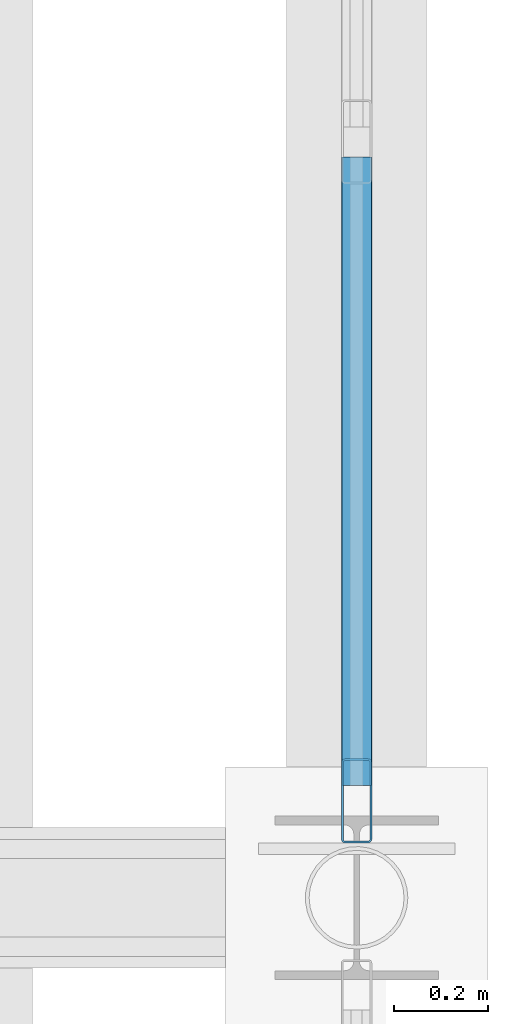
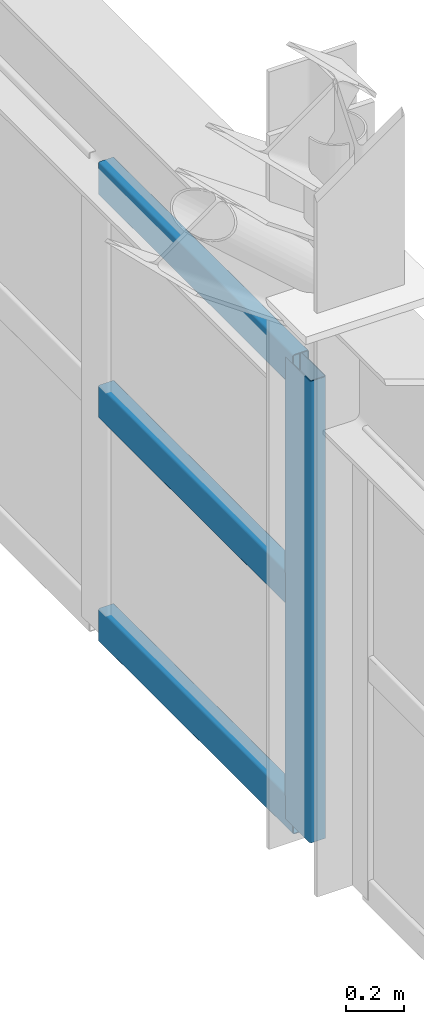
# One storey, part 44 of 121: 4 members, 1 element without a shape of its own.
"""IFC4 building model written with IfcOpenShell, lengths in metres."""

from ifc_helpers import new_model, si_unit, direction, frame, origin, origin_2d, place, context, subcontext, project, spatial, hollow_rectangle, extrude, material, material_profile, profile_set, type_object, element, aggregate, save


model = new_model("IFC4")

# Units and contexts
model_context = context("Model", 3, precision=1e-05, world=origin(), true_north=direction((0.0, 1.0)))
body_context = subcontext(model_context, "Body", "Model", "MODEL_VIEW")
ifc_project = project(units=[si_unit("LENGTHUNIT", "METRE"), si_unit("AREAUNIT", "SQUARE_METRE"), si_unit("VOLUMEUNIT", "CUBIC_METRE"), si_unit("PLANEANGLEUNIT", "RADIAN"), si_unit("MASSUNIT", "GRAM", prefix="KILO")], contexts=[model_context])

# Site, building, storey
site_placement = place(None, origin())
site = spatial("IfcSite", under=ifc_project, at=site_placement, CompositionType="ELEMENT")
building_placement = place(site_placement, origin())
building = spatial("IfcBuilding", under=site, at=building_placement, Name="Canglan Escarpment Cableway Terminal", CompositionType="ELEMENT")
storey_placement = place(building_placement, frame((0.0, 0.0, 24.60009765625)))
storey = spatial("IfcBuildingStorey", under=building, at=storey_placement, Name="L05", CompositionType="ELEMENT", Elevation=24.60009765625)

# Curtain wall, members
ifc_material_1 = material(Name="Anodized bronze aluminium and Low-E double glazing", Category="aluminium")
curtain_wall_type = type_object("IfcCurtainWallType", Name="CW-BAY-8650x1950", PredefinedType="NOTDEFINED", material=ifc_material_1)
curtain_wall_placement = place(storey_placement, origin())
curtain_wall = element("IfcCurtainWall", 1, at=curtain_wall_placement, inside=storey, type_object=curtain_wall_type, Name="Classical bay-between-piers glazed curtain wall CW-66", PredefinedType="NOTDEFINED")
ifc_material_2 = material(Name="Thermally broken anodized aluminium 6063-T6", Category="aluminium")
ifc_material_profile_1 = material_profile(ifc_material_2, hollow_rectangle(XDim=0.06494140625, YDim=0.179931640625, WallThickness=0.00390625, InnerFilletRadius=0.00390625, OuterFilletRadius=0.008056640625, at=origin_2d()), Name="ALU-MULL 65x180x4")
ifc_profile_set_1 = profile_set([ifc_material_profile_1], Name="Thermally broken anodized aluminium 6063-T6")
member_type_1 = type_object("IfcMemberType", Name="CWM-03", PredefinedType="MULLION", material=ifc_profile_set_1)
member_1_placement = place(storey_placement, frame((166.39990234375, 70.20751953125, 0.0), z_axis=(0.0, 0.0, 1.0), x_axis=(-1.0, 0.0, 0.0)))
member_1 = element("IfcMember", 2, at=member_1_placement, type_object=member_type_1, Name="CW-66 mullion 1", PredefinedType="MULLION", context=body_context, shape_type="SweptSolid", body=[
    extrude(hollow_rectangle(XDim=0.06494140625, YDim=0.179931640625, WallThickness=0.00390625, InnerFilletRadius=0.00390625, OuterFilletRadius=0.008056640625, at=origin_2d()), origin(), (0.0, 0.0, 1.0), 1.949951171875),
])
ifc_material_profile_2 = material_profile(ifc_material_2, hollow_rectangle(XDim=0.06494140625, YDim=0.139892578125, WallThickness=0.00341796875, InnerFilletRadius=0.00341796875, OuterFilletRadius=0.007080078125, at=origin_2d()), Name="ALU-TRAN 65x140x3.5")
ifc_profile_set_2 = profile_set([ifc_material_profile_2], Name="Thermally broken anodized aluminium 6063-T6")
member_type_2 = type_object("IfcMemberType", Name="CWT-03", PredefinedType="USERDEFINED", material=ifc_profile_set_2)
member_2_placement = place(storey_placement, frame((166.39990234375, 70.239990234375, 0.032470703125), z_axis=(0.0, 1.0, 0.0), x_axis=(-1.0, 0.0, 0.0)))
member_2 = element("IfcMember", 3, at=member_2_placement, type_object=member_type_2, Name="CW-66 transom 1.1", ObjectType="TRANSOM", PredefinedType="USERDEFINED", context=body_context, shape_type="SweptSolid", body=[
    extrude(hollow_rectangle(XDim=0.06494140625, YDim=0.139892578125, WallThickness=0.00341796875, InnerFilletRadius=0.00341796875, OuterFilletRadius=0.007080078125, at=origin_2d()), origin(), (0.0, 0.0, 1.0), 1.34423828125),
])
member_3_placement = place(storey_placement, frame((166.39990234375, 70.239990234375, 0.974853515625), z_axis=(0.0, 1.0, 0.0), x_axis=(-1.0, 0.0, 0.0)))
member_3 = element("IfcMember", 4, at=member_3_placement, type_object=member_type_2, Name="CW-66 transom 1.2", ObjectType="TRANSOM", PredefinedType="USERDEFINED", context=body_context, shape_type="SweptSolid", body=[
    extrude(hollow_rectangle(XDim=0.06494140625, YDim=0.139892578125, WallThickness=0.00341796875, InnerFilletRadius=0.00341796875, OuterFilletRadius=0.007080078125, at=origin_2d()), origin(), (0.0, 0.0, 1.0), 1.34423828125),
])
member_4_placement = place(storey_placement, frame((166.39990234375, 70.239990234375, 1.91748046875), z_axis=(0.0, 1.0, 0.0), x_axis=(-1.0, 0.0, 0.0)))
member_4 = element("IfcMember", 5, at=member_4_placement, type_object=member_type_2, Name="CW-66 transom 1.3", ObjectType="TRANSOM", PredefinedType="USERDEFINED", context=body_context, shape_type="SweptSolid", body=[
    extrude(hollow_rectangle(XDim=0.06494140625, YDim=0.139892578125, WallThickness=0.00341796875, InnerFilletRadius=0.00341796875, OuterFilletRadius=0.007080078125, at=origin_2d()), origin(), (0.0, 0.0, 1.0), 1.34423828125),
])
aggregate(curtain_wall, [member_1, member_2, member_3, member_4])

save(model, "model.ifc")
